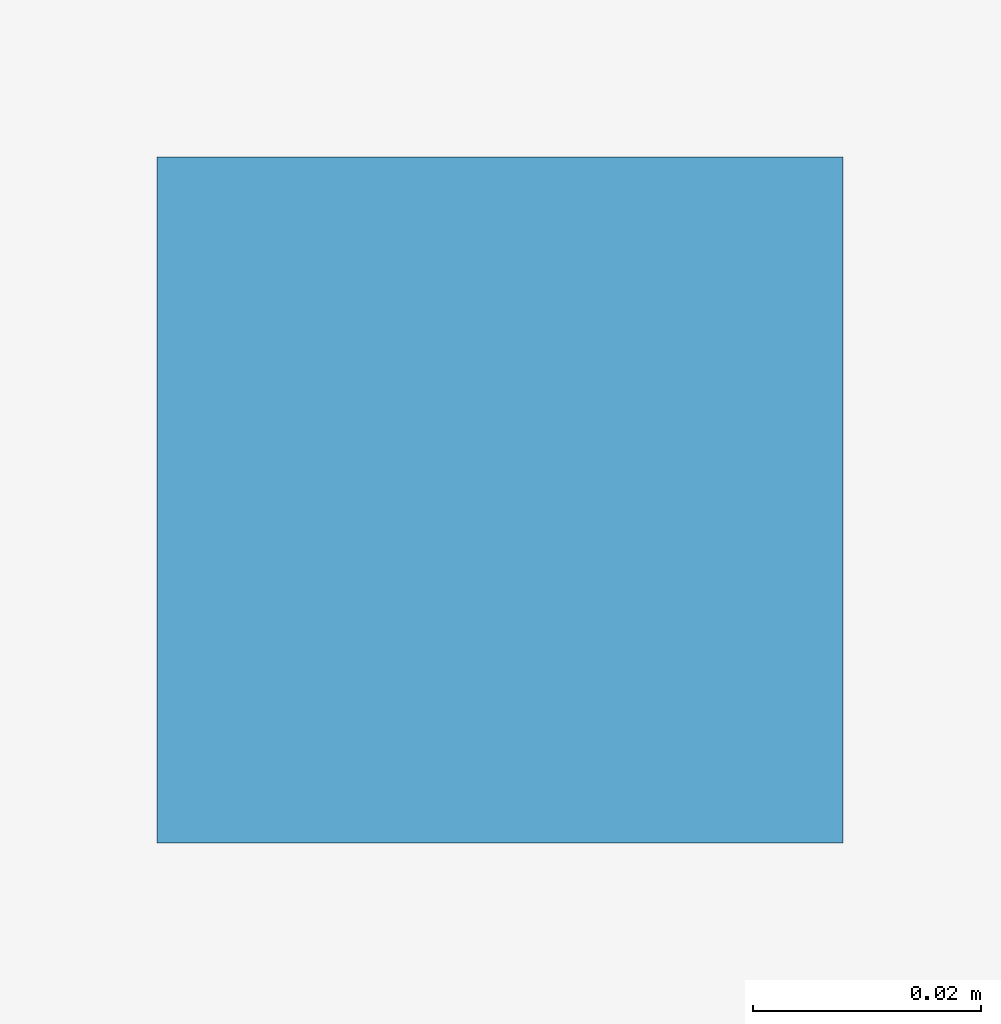
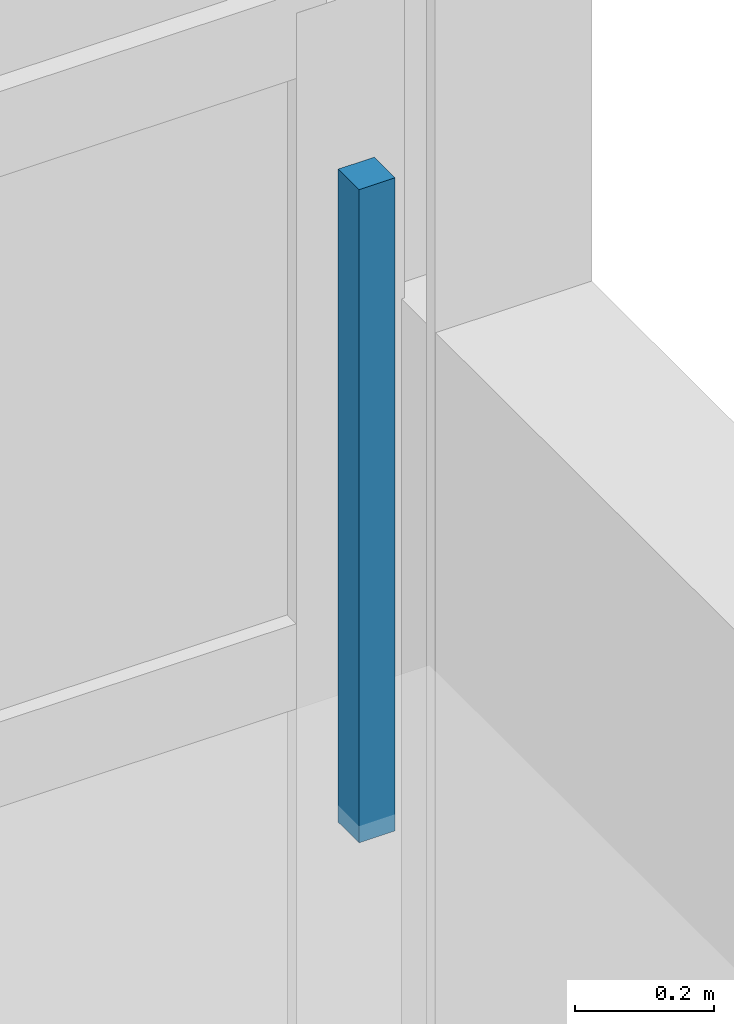
# One storey, part 74 of 93: 1 discrete accessory.
"""IFC4 building model written with IfcOpenShell, lengths in metres."""

from ifc_helpers import new_model, si_unit, direction, frame, origin, place, context, subcontext, project, spatial, polyline, outline, extrude, material, type_object, element, save


model = new_model("IFC4")

# Units and contexts
model_context = context("Model", 3, precision=1e-05, world=origin(), true_north=direction((0.0, 1.0)))
body_context = subcontext(model_context, "Body", "Model", "MODEL_VIEW")
ifc_project = project(units=[si_unit("LENGTHUNIT", "METRE"), si_unit("AREAUNIT", "SQUARE_METRE"), si_unit("VOLUMEUNIT", "CUBIC_METRE"), si_unit("PLANEANGLEUNIT", "RADIAN"), si_unit("MASSUNIT", "GRAM", prefix="KILO")], contexts=[model_context])

# Site, building, storey
site_placement = place(None, origin())
site = spatial("IfcSite", under=ifc_project, at=site_placement, CompositionType="ELEMENT")
building_placement = place(site_placement, origin())
building = spatial("IfcBuilding", under=site, at=building_placement, Name="Dunescarp Central Library", CompositionType="ELEMENT")
storey_placement = place(building_placement, frame((0.0, 0.0, 14.10009765625)))
storey = spatial("IfcBuildingStorey", under=building, at=storey_placement, Name="L03", CompositionType="ELEMENT", Elevation=14.10009765625)

# Discrete accessory
ifc_material = material(Name="Stainless steel Grade 316L", Category="steel")
discrete_accessory_type = type_object("IfcDiscreteAccessoryType", Name="ARC-ACC-BRK", PredefinedType="BRACKET", material=ifc_material)
discrete_accessory_placement = place(storey_placement, frame((0.0, 0.0, 3.059814453125)))
element("IfcDiscreteAccessory", 1, at=discrete_accessory_placement, inside=storey, type_object=discrete_accessory_type, Name="L03 ceiling hanger CLG-L03-108-H2", PredefinedType="BRACKET", context=body_context, shape_type="SweptSolid", body=[
    extrude(outline(polyline([(124.3798828125, 33.179931640625), (124.43994140625, 33.179931640625), (124.43994140625, 33.239990234375), (124.3798828125, 33.239990234375), (124.3798828125, 33.179931640625)])), origin(), (0.0, 0.0, 1.0), 1.150146484375),
])

save(model, "model.ifc")
